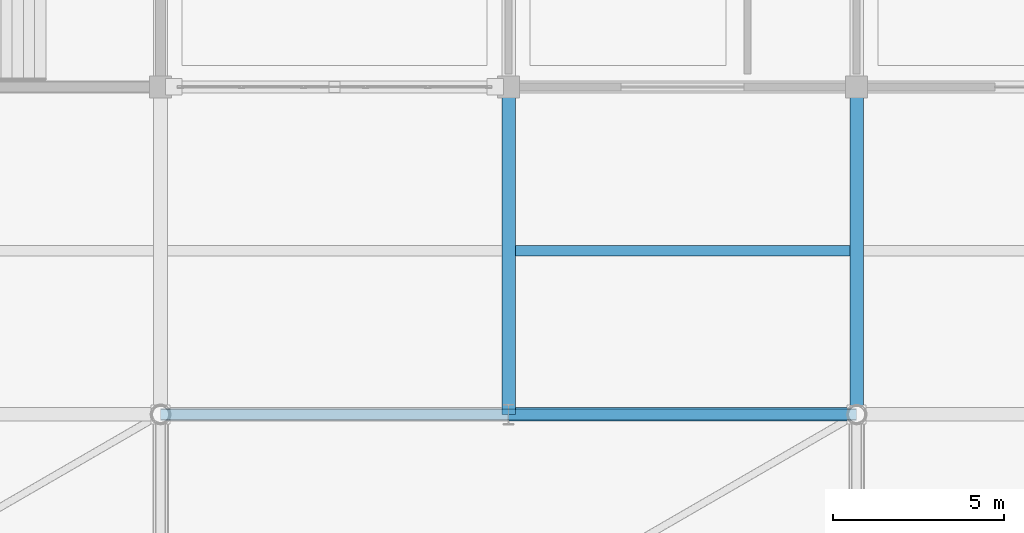
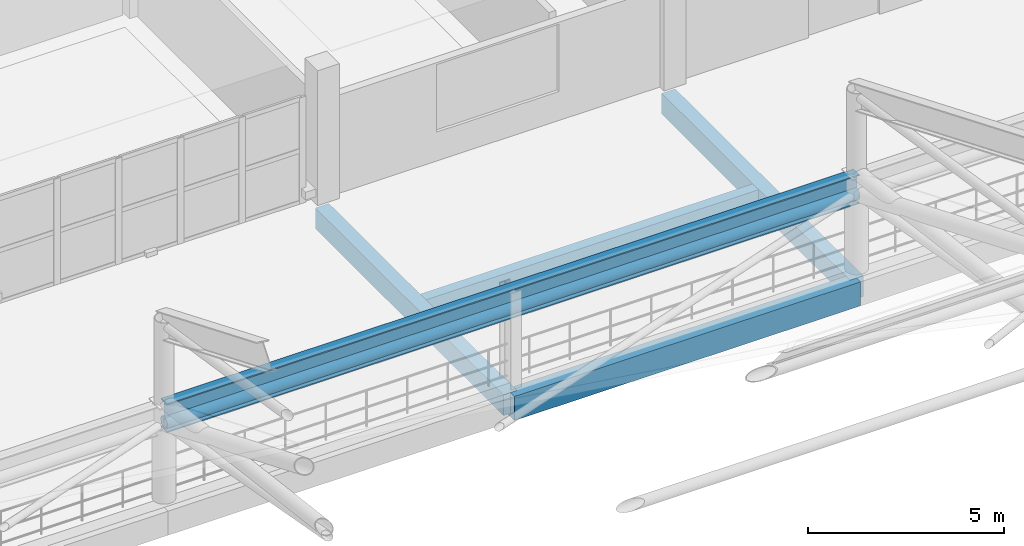
# One storey, part 35 of 135: 5 beams, 1 member.
"""IFC4 building model written with IfcOpenShell, lengths in metres."""

import ifcopenshell
import ifcopenshell.guid

model = None  # the IFC model being written
_history = None  # IfcOwnerHistory: only IFC2X3 demands one
_inside = {}  # id of a spatial element -> (the spatial element, [elements in it])
_under = {}  # id of a project, library or spatial element -> (it, [spatial elements below it])
_declared = {}  # id of a project -> (the project, [libraries it declares])
_typed = {}  # id of a type object -> (the type object, [elements of that type])
_made_of = {}  # id of a material, layer set ... -> (it, [elements and type objects made of it])


def new_model(schema):
    """Start an empty IFC model of exactly this schema.

    Asked for "IFC4X3", IfcOpenShell would pick the latest addendum, in which some entities
    have other attributes; the version numbers below select the first issue.
    IFC2X3 requires an IfcOwnerHistory on every rooted entity: one is made here for all.
    """
    global model, _history
    if schema == "IFC4X3":
        model = ifcopenshell.file(schema_version=(4, 3, 0, 0))
    else:
        model = ifcopenshell.file(schema=schema)
    _inside.clear()
    _under.clear()
    _declared.clear()
    _typed.clear()
    _made_of.clear()
    _history = None
    if model.schema == "IFC2X3":
        org = make("IfcOrganization", Name="unknown")
        user = make(
            "IfcPersonAndOrganization",
            ThePerson=make("IfcPerson", FamilyName="unknown"),
            TheOrganization=org,
        )
        app = make(
            "IfcApplication",
            ApplicationDeveloper=org,
            Version="unknown",
            ApplicationFullName="unknown",
            ApplicationIdentifier="unknown",
        )
        _history = make(
            "IfcOwnerHistory",
            OwningUser=user,
            OwningApplication=app,
            ChangeAction="ADDED",
            CreationDate=0,
        )
    return model


def make(cls, **values):
    """One entity of the class cls with the attributes given. An attribute that is None is left unset."""
    return model.create_entity(
        cls, **{name: value for name, value in values.items() if value is not None}
    )


def rooted(cls, **values):
    """An entity with a GlobalId (a new one), such as an element, a storey or a relation."""
    return make(cls, GlobalId=ifcopenshell.guid.new(), OwnerHistory=_history, **values)


def si_unit(unit_type, name, prefix=None):
    """IfcSIUnit, for example si_unit("LENGTHUNIT", "METRE", prefix="MILLI")."""
    return make("IfcSIUnit", UnitType=unit_type, Prefix=prefix, Name=name)


def assignment(units):
    """IfcUnitAssignment: the units of a project."""
    return None if units is None else make("IfcUnitAssignment", Units=units)


def point(xyz):
    """IfcCartesianPoint."""
    return None if xyz is None else make("IfcCartesianPoint", Coordinates=xyz)


def direction(xyz):
    """IfcDirection."""
    return None if xyz is None else make("IfcDirection", DirectionRatios=xyz)


def frame(location, z_axis=None, x_axis=None):
    """IfcAxis2Placement3D, a coordinate frame: its origin and axes. An axis left out is left unset."""
    return make(
        "IfcAxis2Placement3D",
        Location=point(location),
        Axis=direction(z_axis),
        RefDirection=direction(x_axis),
    )


def frame_2d(location, x_axis=None):
    """IfcAxis2Placement2D, a coordinate frame in the plane: its origin and x axis."""
    return make(
        "IfcAxis2Placement2D", Location=point(location), RefDirection=direction(x_axis)
    )


def origin():
    """The frame at (0, 0, 0) with its axes left unset."""
    return frame((0.0, 0.0, 0.0))


def origin_2d():
    """The frame at (0, 0) in the plane with its x axis left unset."""
    return frame_2d((0.0, 0.0))


def place(relative_to, where):
    """IfcLocalPlacement: puts the frame where relative to a parent placement (None: the world)."""
    return make(
        "IfcLocalPlacement", PlacementRelTo=relative_to, RelativePlacement=where
    )


def context(
    kind, dimensions, precision=None, world=None, true_north=None, identifier=None
):
    """IfcGeometricRepresentationContext, for example the 3D "Model" context."""
    return make(
        "IfcGeometricRepresentationContext",
        ContextIdentifier=identifier,
        ContextType=kind,
        CoordinateSpaceDimension=dimensions,
        Precision=precision,
        WorldCoordinateSystem=world,
        TrueNorth=true_north,
    )


def subcontext(parent, identifier, kind, view, scale=None):
    """IfcGeometricRepresentationSubContext, for example "Body" below "Model"."""
    return make(
        "IfcGeometricRepresentationSubContext",
        ContextIdentifier=identifier,
        ContextType=kind,
        ParentContext=parent,
        TargetScale=scale,
        TargetView=view,
    )


def project(units=None, contexts=None):
    """IfcProject with its units and contexts."""
    return rooted(
        "IfcProject",
        Name="project",
        RepresentationContexts=contexts,
        UnitsInContext=assignment(units),
    )


def spatial(cls, under=None, at=None, **own):
    """A site, building, storey or space (cls), placed at a placement, below another one or the project."""
    s = rooted(cls, ObjectPlacement=at, **own)
    if under is not None:
        _under.setdefault(under.id(), (under, []))[1].append(s)
    return s


def profile(cls, at=None, kind="AREA", **sizes):
    """A parametric profile (cls). Its sizes go by their IFC names, for example OverallWidth=200.0."""
    return make(cls, ProfileType=kind, Position=at, **sizes)


def rectangle(**sizes):
    """IfcRectangleProfileDef."""
    return profile("IfcRectangleProfileDef", **sizes)


def hollow_circle(**sizes):
    """IfcCircleHollowProfileDef."""
    return profile("IfcCircleHollowProfileDef", **sizes)


def i_section(**sizes):
    """IfcIShapeProfileDef."""
    return profile("IfcIShapeProfileDef", **sizes)


def extrude(swept, where, along, depth):
    """IfcExtrudedAreaSolid: the profile swept, set in the frame where, extruded along a direction by depth."""
    return make(
        "IfcExtrudedAreaSolid",
        SweptArea=swept,
        Position=where,
        ExtrudedDirection=direction(along),
        Depth=depth,
    )


def shape(context_of_items, identifier, shape_type, items):
    """IfcShapeRepresentation: the items that make up one representation, for example the "Body"."""
    return make(
        "IfcShapeRepresentation",
        ContextOfItems=context_of_items,
        RepresentationIdentifier=identifier,
        RepresentationType=shape_type,
        Items=items,
    )


def material(Name=None, Category=None):
    """IfcMaterial."""
    return make("IfcMaterial", Name=Name, Category=Category)


def material_profile(
    of_material, cross_section, Name=None, Category=None, Priority=None
):
    """IfcMaterialProfile: a cross section and its material."""
    return make(
        "IfcMaterialProfile",
        Name=Name,
        Material=of_material,
        Profile=cross_section,
        Priority=Priority,
        Category=Category,
    )


def profile_set(profiles, Name=None, composite=None):
    """IfcMaterialProfileSet."""
    return make(
        "IfcMaterialProfileSet",
        Name=Name,
        MaterialProfiles=profiles,
        CompositeProfile=composite,
    )


def made_of(thing, what):
    """Note that an element or type object is made of a material, layer set ...; save() writes the relation."""
    if what is not None:
        _made_of.setdefault(what.id(), (what, []))[1].append(thing)
    return thing


def type_object(cls, material=None, **own):
    """A type object (cls), such as IfcWallType, which elements share."""
    return made_of(rooted(cls, **own), material)


def element(
    cls,
    number,
    at=None,
    inside=None,
    cuts=None,
    type_object=None,
    material=None,
    context=None,
    identifier="Body",
    shape_type=None,
    held_by="IfcProductDefinitionShape",
    body=None,
    shapes=None,
    **own,
):
    """One element of the class cls, such as IfcWall. Its Tag is "e" and its number.

    at: its placement. inside: the storey or other place that contains it. cuts: it is an
    opening in that element (IfcRelVoidsElement). A single representation is given by context,
    identifier, shape_type and body (its items); several are given by shapes. held_by: the class
    of the entity that holds the representations. save() writes the other relations.
    """
    e = rooted(cls, Tag="e%d" % number, ObjectPlacement=at, **own)
    if body is not None:
        shapes = [shape(context, identifier, shape_type, body)]
    if shapes is not None:
        e.Representation = make(held_by, Representations=shapes)
    if inside is not None:
        _inside.setdefault(inside.id(), (inside, []))[1].append(e)
    if cuts is not None:
        rooted(
            "IfcRelVoidsElement", RelatingBuildingElement=cuts, RelatedOpeningElement=e
        )
    if type_object is not None:
        _typed.setdefault(type_object.id(), (type_object, []))[1].append(e)
    return made_of(e, material)


def aggregate(whole, parts):
    """IfcRelAggregates: a whole, such as a stair, and the parts it consists of."""
    return rooted("IfcRelAggregates", RelatingObject=whole, RelatedObjects=parts)


def save(model, path):
    """Write the relations noted so far, then the file.

    IfcRelAggregates (storeys below a building ...), IfcRelContainedInSpatialStructure (elements
    in a storey), IfcRelDefinesByType, IfcRelAssociatesMaterial and IfcRelDeclares: one each for
    every whole, place, type object, material and project.
    """
    for whole, parts in _under.values():
        aggregate(whole, parts)
    for where, things in _inside.values():
        rooted(
            "IfcRelContainedInSpatialStructure",
            RelatedElements=things,
            RelatingStructure=where,
        )
    for kind, things in _typed.values():
        rooted("IfcRelDefinesByType", RelatedObjects=things, RelatingType=kind)
    for what, things in _made_of.values():
        rooted("IfcRelAssociatesMaterial", RelatedObjects=things, RelatingMaterial=what)
    for by, libraries in _declared.values():
        rooted("IfcRelDeclares", RelatingContext=by, RelatedDefinitions=libraries)
    model.write(path)


model = new_model("IFC4")

# Units and contexts
model_context = context("Model", 3, precision=1e-05, world=origin(), true_north=direction((0.0, 1.0)))
body_context = subcontext(model_context, "Body", "Model", "MODEL_VIEW")
ifc_project = project(units=[si_unit("LENGTHUNIT", "METRE"), si_unit("AREAUNIT", "SQUARE_METRE"), si_unit("VOLUMEUNIT", "CUBIC_METRE"), si_unit("PLANEANGLEUNIT", "RADIAN"), si_unit("MASSUNIT", "GRAM", prefix="KILO")], contexts=[model_context])

# Site, building, storey
site_placement = place(None, origin())
site = spatial("IfcSite", under=ifc_project, at=site_placement, CompositionType="ELEMENT")
building_placement = place(site_placement, origin())
building = spatial("IfcBuilding", under=site, at=building_placement, Name="Brelvane Convention Centre", CompositionType="ELEMENT")
storey_placement = place(building_placement, frame((0.0, 0.0, 15.0)))
storey = spatial("IfcBuildingStorey", under=building, at=storey_placement, Name="L03", CompositionType="ELEMENT", Elevation=15.0)

# Beams
ifc_material_1 = material(Name="Concrete M40", Category="concrete")
ifc_material_profile_1 = material_profile(ifc_material_1, rectangle(XDim=0.39990234375, YDim=0.75, at=origin_2d()), Name="RC 400x750")
ifc_profile_set_1 = profile_set([ifc_material_profile_1], Name="Concrete M40")
beam_type_1 = type_object("IfcBeamType", Name="RC Beam B-RC6 (RC 400x750)", PredefinedType="BEAM", material=ifc_profile_set_1)
beam_1_placement = place(storey_placement, frame((51.0, 99.60009765625, -0.68505859375), z_axis=(1.0, 0.0, 0.0), x_axis=(0.0, 1.0, 0.0)))
element("IfcBeam", 1, at=beam_1_placement, inside=storey, type_object=beam_type_1, Name="L03 Beam 6-7/K", PredefinedType="BEAM", context=body_context, shape_type="SweptSolid", body=[
    extrude(rectangle(XDim=0.39990234375, YDim=0.75, at=origin_2d()), origin(), (0.0, 0.0, 1.0), 10.199951171875),
])
ifc_material_2 = material(Name="Concrete M40", Category="concrete")
ifc_material_profile_2 = material_profile(ifc_material_2, rectangle(XDim=0.39990234375, YDim=0.64990234375, at=origin_2d()), Name="RC 400x650")
ifc_profile_set_2 = profile_set([ifc_material_profile_2], Name="Concrete M40")
beam_type_2 = type_object("IfcBeamType", Name="RC Beam B-RC7 (RC 400x650)", PredefinedType="BEAM", material=ifc_profile_set_2)
for number, where, z_axis, x_axis, name in (
    (2, (51.0, 99.60009765625, -0.635009765625), (0.0, 1.0, 0.0), (-1.0, 0.0, 0.0), "L03 Girder 6/K-L"),
    (3, (61.199951171875, 99.60009765625, -0.635009765625), (0.0, 1.0, 0.0), (-1.0, 0.0, 0.0), "L03 Girder 7/K-L"),
):
    element("IfcBeam", number, at=place(storey_placement, frame(where, z_axis=z_axis, x_axis=x_axis)), inside=storey, type_object=beam_type_2, Name=name, PredefinedType="BEAM", context=body_context, shape_type="SweptSolid", body=[
        extrude(rectangle(XDim=0.39990234375, YDim=0.64990234375, at=origin_2d()), origin(), (0.0, 0.0, 1.0), 9.599853515625),
    ])
ifc_material_3 = material(Name="Concrete M40", Category="concrete")
ifc_material_profile_3 = material_profile(ifc_material_3, rectangle(XDim=0.300048828125, YDim=0.5, at=origin_2d()), Name="RC 300x500")
ifc_profile_set_3 = profile_set([ifc_material_profile_3], Name="Concrete M40")
beam_type_3 = type_object("IfcBeamType", Name="RC Joist J-RC2 (RC 300x500)", PredefinedType="JOIST", material=ifc_profile_set_3)
beam_2_placement = place(storey_placement, frame((51.199951171875, 104.39990234375, -0.56005859375), z_axis=(1.0, 0.0, 0.0), x_axis=(0.0, 1.0, 0.0)))
element("IfcBeam", 4, at=beam_2_placement, inside=storey, type_object=beam_type_3, Name="L03 Secondary Joist 6-7/KL", PredefinedType="JOIST", context=body_context, shape_type="SweptSolid", body=[
    extrude(rectangle(XDim=0.300048828125, YDim=0.5, at=origin_2d()), origin(), (0.0, 0.0, 1.0), 9.800048828125),
])
ifc_material_4 = material(Name="Steel E450 (450 MPa)", Category="steel")
ifc_material_profile_4 = material_profile(ifc_material_4, i_section(OverallWidth=0.300048828125, OverallDepth=0.89990234375, WebThickness=0.0166015625, FlangeThickness=0.031982421875, FilletRadius=0.027099609375, at=origin_2d()), Name="NPB 900x300")
ifc_profile_set_4 = profile_set([ifc_material_profile_4], Name="Steel E450 (450 MPa)")
beam_type_4 = type_object("IfcBeamType", Name="Steel Beam B-ST1 (NPB 900x300)", PredefinedType="BEAM", material=ifc_profile_set_4)
beam_3_placement = place(storey_placement, frame((40.800048828125, 99.60009765625, 2.550048828125), z_axis=(1.0, 0.0, 0.0), x_axis=(0.0, 1.0, 0.0)))
element("IfcBeam", 5, at=beam_3_placement, inside=storey, type_object=beam_type_4, Name="SF_EXH Eaves Ring Girder N-3", PredefinedType="BEAM", context=body_context, shape_type="SweptSolid", body=[
    extrude(i_section(OverallWidth=0.300048828125, OverallDepth=0.89990234375, WebThickness=0.0166015625, FlangeThickness=0.031982421875, FilletRadius=0.027099609375, at=origin_2d()), origin(), (0.0, 0.0, 1.0), 20.39990234375),
])

# Member
ifc_material_5 = material(Name="Steel E450 (450 MPa)", Category="steel")
ifc_material_profile_5 = material_profile(ifc_material_5, hollow_circle(Radius=0.177734375, WallThickness=0.01611328125, at=origin_2d()), Name="CHS 355.6x16.0")
ifc_profile_set_5 = profile_set([ifc_material_profile_5], Name="Steel E450 (450 MPa)")
member_type = type_object("IfcMemberType", Name="Steel Chord SF-TC2 (CHS 355.6x16.0)", PredefinedType="CHORD", material=ifc_profile_set_5)
member_placement = place(storey_placement, frame((40.800048828125, 99.60009765625, 2.340087890625), z_axis=(1.0, 0.0, 0.0), x_axis=(0.0, 1.0, 0.0)))
element("IfcMember", 6, at=member_placement, inside=storey, type_object=member_type, Name="SF_EXH Longitudinal Top Chord LT3.7", PredefinedType="CHORD", context=body_context, shape_type="SweptSolid", body=[
    extrude(hollow_circle(Radius=0.177734375, WallThickness=0.01611328125, at=origin_2d()), origin(), (0.0, 0.0, 1.0), 20.39990234375),
])

save(model, "model.ifc")
